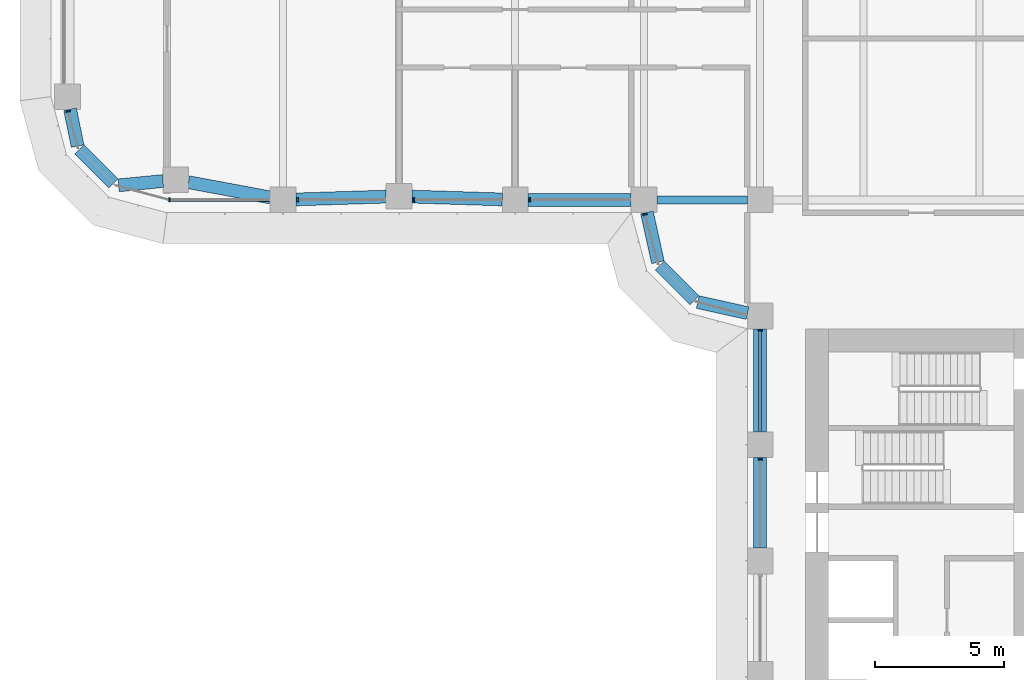
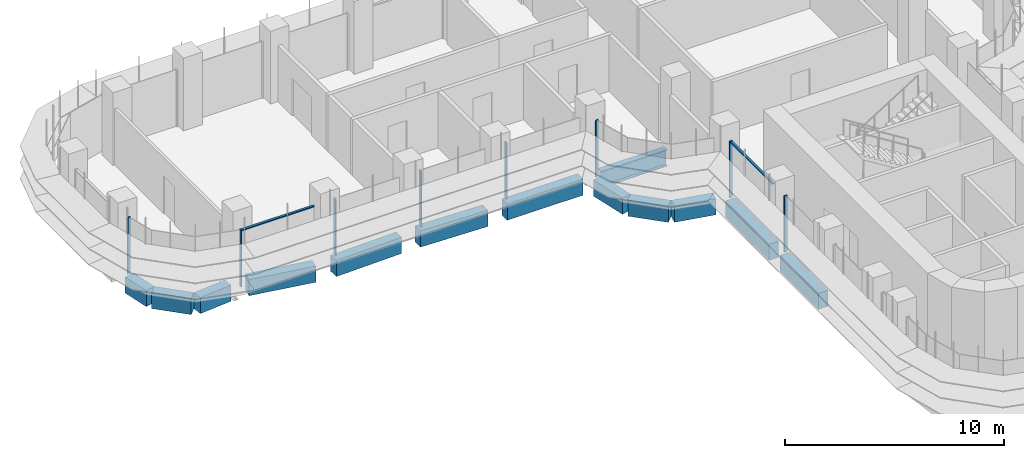
# One storey, part 3 of 23: 13 beams, 10 members, 4 elements without a shape of their own.
"""IFC4 building model written with IfcOpenShell, lengths in metres."""

from ifc_helpers import new_model, si_unit, direction, frame, origin, origin_2d, place, context, subcontext, project, spatial, polyline, rectangle, i_section, outline, extrude, source, transform, mapped, material, material_profile, profile_set, type_object, element, aggregate, save


model = new_model("IFC4")

# Units and contexts
model_context = context("Model", 3, precision=1e-05, world=origin(), true_north=direction((0.0, 1.0)))
body_context = subcontext(model_context, "Body", "Model", "MODEL_VIEW")
ifc_project = project(units=[si_unit("LENGTHUNIT", "METRE"), si_unit("AREAUNIT", "SQUARE_METRE"), si_unit("VOLUMEUNIT", "CUBIC_METRE"), si_unit("PLANEANGLEUNIT", "RADIAN"), si_unit("MASSUNIT", "GRAM", prefix="KILO")], contexts=[model_context])

# Site, building, storey
site_placement = place(None, origin())
site = spatial("IfcSite", under=ifc_project, at=site_placement, CompositionType="ELEMENT")
building_placement = place(site_placement, origin())
building = spatial("IfcBuilding", under=site, at=building_placement, Name="Zarbagh Exchange Tower", CompositionType="ELEMENT")
storey_placement = place(building_placement, frame((0.0, 0.0, 52.199951171875)))
storey = spatial("IfcBuildingStorey", under=building, at=storey_placement, Name="L11", CompositionType="ELEMENT", Elevation=52.199951171875)

# Beams
ifc_material_1 = material(Name="Steel ASTM A992 Gr 50", Category="steel")
ifc_material_profile_1 = material_profile(ifc_material_1, i_section(OverallWidth=0.3046875, OverallDepth=0.91943359375, WebThickness=0.017333984375, FlangeThickness=0.02783203125, at=origin_2d()), Name="W36X170")
ifc_profile_set_1 = profile_set([ifc_material_profile_1], Name="Steel ASTM A992 Gr 50")
beam_type_1 = type_object("IfcBeamType", Name="Floor girder W36X170", PredefinedType="BEAM", material=ifc_profile_set_1)
beam_1_placement = place(storey_placement, frame((-10.25, -6.25, -0.609619140625), z_axis=(1.0, 0.0, 0.0), x_axis=(0.0, 1.0, 0.0)))
element("IfcBeam", 1, at=beam_1_placement, inside=storey, type_object=beam_type_1, Name="Steel girder", PredefinedType="BEAM", context=body_context, shape_type="SweptSolid", body=[
    extrude(i_section(OverallWidth=0.3046875, OverallDepth=0.91943359375, WebThickness=0.017333984375, FlangeThickness=0.02783203125, at=origin_2d()), origin(), (0.0, 0.0, 1.0), 3.5),
])
ifc_material_2 = material(Name="Concrete C60/75", Category="concrete")
ifc_material_profile_2 = material_profile(ifc_material_2, rectangle(XDim=0.5, YDim=0.89990234375, at=origin_2d()), Name="RC spandrel beam 500 x 900 C60/75")
ifc_profile_set_2 = profile_set([ifc_material_profile_2], Name="Concrete C60/75")
beam_type_2 = type_object("IfcBeamType", Name="RC spandrel beam 500 x 900 C60/75", PredefinedType="SPANDREL", material=ifc_profile_set_2)
beam_2_placement = place(storey_placement, frame((-6.25, -19.75, -0.599853515625), z_axis=(0.0, 1.0, 0.0), x_axis=(-1.0, 0.0, 0.0)))
element("IfcBeam", 2, at=beam_2_placement, inside=storey, type_object=beam_type_2, Name="RC spandrel beam", PredefinedType="SPANDREL", context=body_context, shape_type="SweptSolid", body=[
    extrude(rectangle(XDim=0.5, YDim=0.89990234375, at=origin_2d()), origin(), (0.0, 0.0, 1.0), 3.5),
])
beam_3_placement = place(storey_placement, frame((-6.25, -15.25, -0.599853515625), z_axis=(0.0, 1.0, 0.0), x_axis=(-1.0, 0.0, 0.0)))
element("IfcBeam", 3, at=beam_3_placement, inside=storey, type_object=beam_type_2, Name="RC spandrel beam", PredefinedType="SPANDREL", context=body_context, shape_type="SweptSolid", body=[
    extrude(rectangle(XDim=0.5, YDim=0.89990234375, at=origin_2d()), origin(), (0.0, 0.0, 1.0), 4.0),
])
beam_4_placement = place(storey_placement, frame((-6.73828125, -10.64208984375, -0.599853515625), z_axis=(-0.976375426825, 0.216081063242, 0.0), x_axis=(-0.216081063242, -0.976375426825, 0.0)))
element("IfcBeam", 4, at=beam_4_placement, inside=storey, type_object=beam_type_2, Name="RC spandrel beam", PredefinedType="SPANDREL", context=body_context, shape_type="SweptSolid", body=[
    extrude(rectangle(XDim=0.5, YDim=0.89990234375, at=origin_2d()), origin(), (0.0, 0.0, 1.0), 1.978271484375),
])
beam_5_placement = place(storey_placement, frame((-8.792724609375, -10.147216796875, -0.599853515625), z_axis=(-0.707106781187, 0.707106781187, 0.0), x_axis=(-0.707106781187, -0.707106781187, 0.0)))
element("IfcBeam", 5, at=beam_5_placement, inside=storey, type_object=beam_type_2, Name="RC spandrel beam", PredefinedType="SPANDREL", context=body_context, shape_type="SweptSolid", body=[
    extrude(rectangle(XDim=0.5, YDim=0.89990234375, at=origin_2d()), origin(), (0.0, 0.0, 1.0), 1.91552734375),
])
beam_6_placement = place(storey_placement, frame((-10.214599609375, -8.669921875, -0.599853515625), z_axis=(-0.216081063242, 0.976375426825, 0.0), x_axis=(-0.976375426825, -0.216081063242, 0.0)))
element("IfcBeam", 6, at=beam_6_placement, inside=storey, type_object=beam_type_2, Name="RC spandrel beam", PredefinedType="SPANDREL", context=body_context, shape_type="SweptSolid", body=[
    extrude(rectangle(XDim=0.5, YDim=0.89990234375, at=origin_2d()), origin(), (0.0, 0.0, 1.0), 1.978271484375),
])
beam_7_placement = place(storey_placement, frame((-11.25, -6.25, -0.599853515625), z_axis=(-1.0, 0.0, 0.0), x_axis=(0.0, -1.0, 0.0)))
element("IfcBeam", 7, at=beam_7_placement, inside=storey, type_object=beam_type_2, Name="RC spandrel beam", PredefinedType="SPANDREL", context=body_context, shape_type="SweptSolid", body=[
    extrude(rectangle(XDim=0.5, YDim=0.89990234375, at=origin_2d()), origin(), (0.0, 0.0, 1.0), 4.0),
])
for number, where, z_axis, x_axis, name in (
    (8, (-16.249755859375, -6.234619140625, -0.599853515625), (-0.999514385708, 0.031160756759, 0.0), (-0.031160756759, -0.999514385708, 0.0), "RC spandrel beam"),
    (9, (-20.749755859375, -6.12548828125, -0.599853515625), (-0.999514385708, -0.031160756759, 0.0), (0.031160756759, -0.999514385708, 0.0), "RC spandrel beam"),
):
    element("IfcBeam", number, at=place(storey_placement, frame(where, z_axis=z_axis, x_axis=x_axis)), inside=storey, type_object=beam_type_2, Name=name, PredefinedType="SPANDREL", context=body_context, shape_type="SweptSolid", body=[
        extrude(rectangle(XDim=0.5, YDim=0.89990234375, at=origin_2d()), origin(), (0.0, 0.0, 1.0), 3.502197265625),
    ])
beam_8_placement = place(storey_placement, frame((-25.241455078125, -6.158447265625, -0.599853515625), z_axis=(-0.983069300761, 0.183234139565, 0.0), x_axis=(-0.183234139565, -0.983069300761, 0.0)))
element("IfcBeam", 10, at=beam_8_placement, inside=storey, type_object=beam_type_2, Name="RC spandrel beam", PredefinedType="SPANDREL", context=body_context, shape_type="SweptSolid", body=[
    extrude(rectangle(XDim=0.5, YDim=0.89990234375, at=origin_2d()), origin(), (0.0, 0.0, 1.0), 3.229736328125),
])
beam_9_placement = place(storey_placement, frame((-29.40576171875, -5.522705078125, -0.599853515625), z_axis=(-0.995431032456, -0.095483294999, 0.0), x_axis=(0.095483294999, -0.995431032456, 0.0)))
element("IfcBeam", 11, at=beam_9_placement, inside=storey, type_object=beam_type_2, Name="RC spandrel beam", PredefinedType="SPANDREL", context=body_context, shape_type="SweptSolid", body=[
    extrude(rectangle(XDim=0.5, YDim=0.89990234375, at=origin_2d()), origin(), (0.0, 0.0, 1.0), 1.725830078125),
])
beam_10_placement = place(storey_placement, frame((-31.324462890625, -5.615478515625, -0.599853515625), z_axis=(-0.707172099812, 0.707041456527, 0.0), x_axis=(-0.707041456527, -0.707172099812, 0.0)))
element("IfcBeam", 12, at=beam_10_placement, inside=storey, type_object=beam_type_2, Name="RC spandrel beam", PredefinedType="SPANDREL", context=body_context, shape_type="SweptSolid", body=[
    extrude(rectangle(XDim=0.5, YDim=0.89990234375, at=origin_2d()), origin(), (0.0, 0.0, 1.0), 1.86865234375),
])
beam_11_placement = place(storey_placement, frame((-32.714111328125, -4.16796875, -0.599853515625), z_axis=(-0.202068589164, 0.9793713725, 0.0), x_axis=(-0.9793713725, -0.202068589164, 0.0)))
element("IfcBeam", 13, at=beam_11_placement, inside=storey, type_object=beam_type_2, Name="RC spandrel beam", PredefinedType="SPANDREL", context=body_context, shape_type="SweptSolid", body=[
    extrude(rectangle(XDim=0.5, YDim=0.89990234375, at=origin_2d()), origin(), (0.0, 0.0, 1.0), 1.458251953125),
])

# Curtain wall, member
ifc_material_3 = material(Name="Anodised aluminium frame and glazing", Category="aluminium")
curtain_wall_type = type_object("IfcCurtainWallType", Name="CWA Ribbon glazing, lower zones", PredefinedType="NOTDEFINED", material=ifc_material_3)
curtain_wall_1_placement = place(storey_placement, origin())
curtain_wall_1 = element("IfcCurtainWall", 14, at=curtain_wall_1_placement, inside=storey, type_object=curtain_wall_type, Name="CWA37 curtain wall", PredefinedType="NOTDEFINED")
ifc_material_4 = material(Name="Anodised aluminium frame", Category="aluminium")
member_type_1 = type_object("IfcMemberType", Name="MUA Mullion, anodised aluminium frame", PredefinedType="MULLION", material=ifc_material_4)
shared_shape_1 = source(origin(), body_context, "Body", "SweptSolid", [
    extrude(outline(polyline([(0.0, -0.080078125), (0.06005859375, -0.080078125), (0.06005859375, 0.080078125), (0.0, 0.080078125), (0.0, -0.080078125)])), origin(), (0.0, 0.0, 1.0), 3.14990234375),
])
placement = place(storey_placement, origin())
member_1 = element("IfcMember", 15, at=placement, type_object=member_type_1, Name="CWA37 mullion 1.1", PredefinedType="MULLION", context=body_context, shape_type="MappedRepresentation", body=[
    mapped(shared_shape_1, transform((-33.087646484375, -2.7900390625, 0.0), x_axis=(0.258824779902, -0.965924289636, 0.0), y_axis=(0.965924289636, 0.258824779902, 0.0), z_axis=(0.0, 0.0, 1.0))),
])
aggregate(curtain_wall_1, [member_1])

# Curtain wall, members
curtain_wall_2_placement = place(storey_placement, origin())
curtain_wall_2 = element("IfcCurtainWall", 16, at=curtain_wall_2_placement, inside=storey, type_object=curtain_wall_type, Name="CWA40 curtain wall", PredefinedType="NOTDEFINED")
member_2 = element("IfcMember", 17, at=placement, type_object=member_type_1, Name="CWA40 mullion 1.1", PredefinedType="MULLION", context=body_context, shape_type="MappedRepresentation", body=[
    mapped(shared_shape_1, transform((-29.18408203125, -6.25, 0.0), x_axis=(1.0, 0.0, 0.0), y_axis=(0.0, 1.0, 0.0), z_axis=(0.0, 0.0, 1.0))),
])
member_3 = element("IfcMember", 18, at=placement, type_object=member_type_1, Name="CWA40 mullion 2.1", PredefinedType="MULLION", context=body_context, shape_type="MappedRepresentation", body=[
    mapped(shared_shape_1, transform((-24.2099609375, -6.25, 0.0), x_axis=(1.0, 0.0, 0.0), y_axis=(0.0, 1.0, 0.0), z_axis=(0.0, 0.0, 1.0))),
])
member_4 = element("IfcMember", 19, at=placement, type_object=member_type_1, Name="CWA40 mullion 3.1", PredefinedType="MULLION", context=body_context, shape_type="MappedRepresentation", body=[
    mapped(shared_shape_1, transform((-19.7099609375, -6.25, 0.0), x_axis=(1.0, 0.0, 0.0), y_axis=(0.0, 1.0, 0.0), z_axis=(0.0, 0.0, 1.0))),
])
member_5 = element("IfcMember", 20, at=placement, type_object=member_type_1, Name="CWA40 mullion 4.1", PredefinedType="MULLION", context=body_context, shape_type="MappedRepresentation", body=[
    mapped(shared_shape_1, transform((-15.2099609375, -6.25, 0.0), x_axis=(1.0, 0.0, 0.0), y_axis=(0.0, 1.0, 0.0), z_axis=(0.0, 0.0, 1.0))),
])

# Curtain wall, member
curtain_wall_3_placement = place(storey_placement, origin())
curtain_wall_3 = element("IfcCurtainWall", 21, at=curtain_wall_3_placement, inside=storey, type_object=curtain_wall_type, Name="CWA41 curtain wall", PredefinedType="NOTDEFINED")
member_6 = element("IfcMember", 22, at=placement, type_object=member_type_1, Name="CWA41 mullion 1.1", PredefinedType="MULLION", context=body_context, shape_type="MappedRepresentation", body=[
    mapped(shared_shape_1, transform((-10.7216796875, -6.7900390625, 0.0), x_axis=(0.258824779902, -0.965924289636, 0.0), y_axis=(0.965924289636, 0.258824779902, 0.0), z_axis=(0.0, 0.0, 1.0))),
])
aggregate(curtain_wall_3, [member_6])

# Curtain wall, members
curtain_wall_4_placement = place(storey_placement, origin())
curtain_wall_4 = element("IfcCurtainWall", 23, at=curtain_wall_4_placement, inside=storey, type_object=curtain_wall_type, Name="CWA44 curtain wall", PredefinedType="NOTDEFINED")
member_7 = element("IfcMember", 24, at=placement, type_object=member_type_1, Name="CWA44 mullion 1.1", PredefinedType="MULLION", context=body_context, shape_type="MappedRepresentation", body=[
    mapped(shared_shape_1, transform((-6.25, -11.2900390625, 0.0), x_axis=(0.0, -1.0, 0.0), y_axis=(1.0, 0.0, 0.0), z_axis=(0.0, 0.0, 1.0))),
])
member_8 = element("IfcMember", 25, at=placement, type_object=member_type_1, Name="CWA44 mullion 2.1", PredefinedType="MULLION", context=body_context, shape_type="MappedRepresentation", body=[
    mapped(shared_shape_1, transform((-6.25, -16.2900390625, 0.0), x_axis=(0.0, -1.0, 0.0), y_axis=(1.0, 0.0, 0.0), z_axis=(0.0, 0.0, 1.0))),
])
member_type_2 = type_object("IfcMemberType", Name="TRA Transom, anodised aluminium frame", PredefinedType="USERDEFINED", material=ifc_material_4)
shared_shape_2 = source(origin(), body_context, "Body", "SweptSolid", [
    extrude(outline(polyline([(-0.06005859375, -0.06005859375), (0.0, -0.06005859375), (0.0, 0.06005859375), (-0.06005859375, 0.06005859375), (-0.06005859375, -0.06005859375)])), origin(), (0.0, 0.0, 1.0), 3.860107421875),
])
member_9 = element("IfcMember", 26, at=placement, type_object=member_type_2, Name="CWA44 transom 1.1", ObjectType="TRANSOM", PredefinedType="USERDEFINED", context=body_context, shape_type="MappedRepresentation", body=[
    mapped(shared_shape_2, transform((-6.25, -11.35009765625, 3.150146484375), x_axis=(0.0, 0.0, 1.0), y_axis=(-1.0, 0.0, 0.0), z_axis=(0.0, -1.0, 0.0))),
])
aggregate(curtain_wall_4, [member_7, member_9, member_8])

# Member
shared_shape_3 = source(origin(), body_context, "Body", "SweptSolid", [
    extrude(outline(polyline([(-0.06005859375, -0.06005859375), (0.0, -0.06005859375), (0.0, 0.06005859375), (-0.06005859375, 0.06005859375), (-0.06005859375, -0.06005859375)])), origin(), (0.0, 0.0, 1.0), 3.834228515625),
])
member_10 = element("IfcMember", 27, at=placement, type_object=member_type_2, Name="CWA40 transom 1.1", ObjectType="TRANSOM", PredefinedType="USERDEFINED", context=body_context, shape_type="MappedRepresentation", body=[
    mapped(shared_shape_3, transform((-29.124267578125, -6.25, 3.150146484375), x_axis=(0.0, 0.0, 1.0), y_axis=(0.0, -1.0, 0.0), z_axis=(1.0, 0.0, 0.0))),
])

aggregate(curtain_wall_2, [member_2, member_10, member_3, member_4, member_5])

save(model, "model.ifc")
